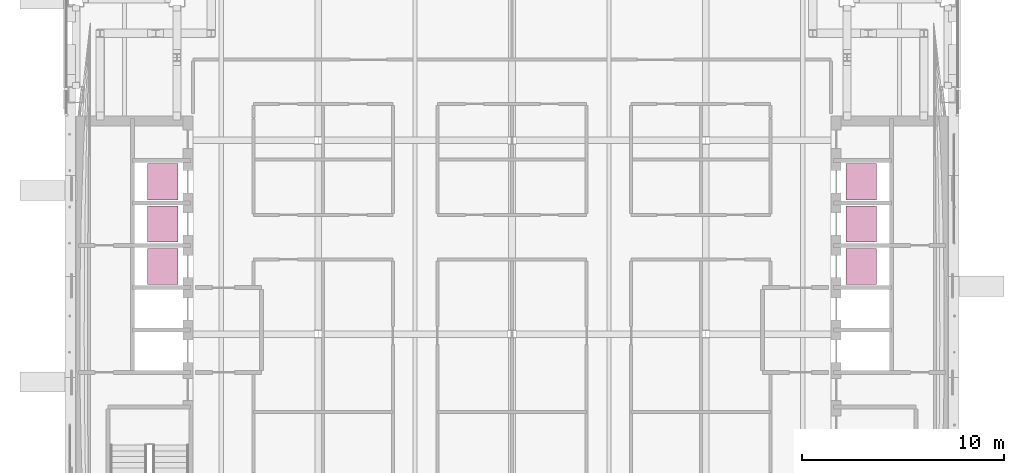
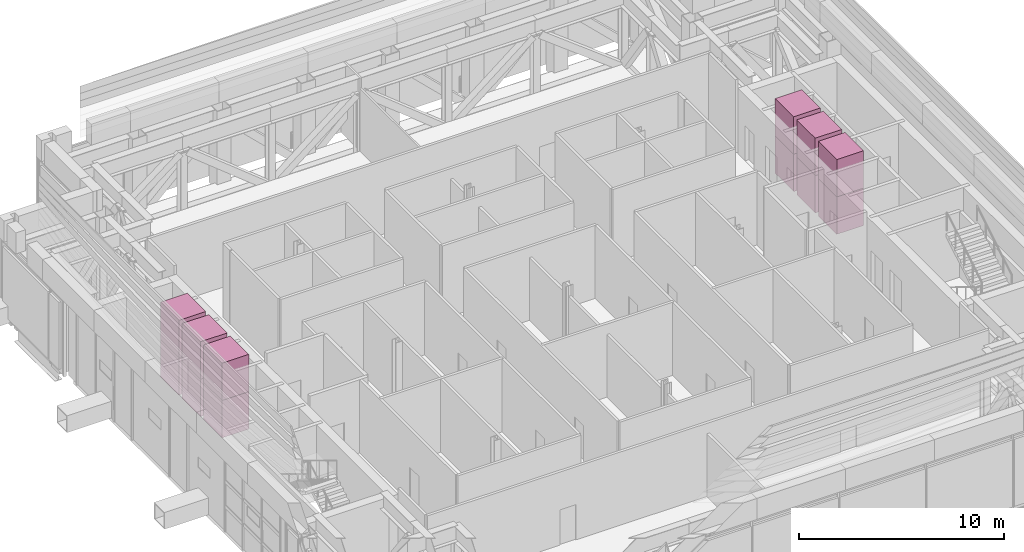
# One storey, part 29 of 29: 12 transport elements.
"""IFC4 building model written with IfcOpenShell, lengths in metres."""

from ifc_helpers import new_model, si_unit, direction, frame, origin, origin_2d, place, context, subcontext, project, spatial, rectangle, extrude, material, type_object, element, save


model = new_model("IFC4")

# Units and contexts
model_context = context("Model", 3, precision=1e-05, world=origin(), true_north=direction((0.0, 1.0)))
body_context = subcontext(model_context, "Body", "Model", "MODEL_VIEW")
ifc_project = project(units=[si_unit("LENGTHUNIT", "METRE"), si_unit("AREAUNIT", "SQUARE_METRE"), si_unit("VOLUMEUNIT", "CUBIC_METRE"), si_unit("PLANEANGLEUNIT", "RADIAN"), si_unit("MASSUNIT", "GRAM", prefix="KILO")], contexts=[model_context])

# Site, building, storey
site_placement = place(None, origin())
site = spatial("IfcSite", under=ifc_project, at=site_placement, CompositionType="ELEMENT")
building_placement = place(site_placement, origin())
building = spatial("IfcBuilding", under=site, at=building_placement, Name="Cobrizo Arcos Hotel Tower", CompositionType="ELEMENT")
storey_placement = place(building_placement, frame((0.0, 0.0, 186.5)))
storey = spatial("IfcBuildingStorey", under=building, at=storey_placement, Name="L48", CompositionType="ELEMENT", Elevation=186.5)

# Transport elements
ifc_material = material(Name="Stainless steel car", Category="steel")
transport_element_type = type_object("IfcTransportElementType", Name="Lift car High 1.8x1.5", PredefinedType="ELEVATOR", material=ifc_material)
for number, where, z_axis, x_axis, name in (
    (1, (-17.300048828125, 3.35009765625, 0.0), (0.0, 0.0, 1.0), (1.0, 0.0, 0.0), "High-rise passenger lift W1"),
    (2, (-17.300048828125, 3.35009765625, 2.224853515625), (0.0, 0.0, 1.0), (1.0, 0.0, 0.0), "High-rise passenger lift W1"),
    (3, (-17.300048828125, 5.449951171875, 0.0), (0.0, 0.0, 1.0), (1.0, 0.0, 0.0), "High-rise passenger lift W2"),
    (4, (-17.300048828125, 5.449951171875, 2.224853515625), (0.0, 0.0, 1.0), (1.0, 0.0, 0.0), "High-rise passenger lift W2"),
    (5, (-17.300048828125, 7.550048828125, 0.0), (0.0, 0.0, 1.0), (1.0, 0.0, 0.0), "High-rise passenger lift W3"),
    (6, (-17.300048828125, 7.550048828125, 2.224853515625), (0.0, 0.0, 1.0), (1.0, 0.0, 0.0), "High-rise passenger lift W3"),
    (7, (17.300048828125, 3.35009765625, 0.0), (0.0, 0.0, 1.0), (1.0, 0.0, 0.0), "High-rise passenger lift E1"),
    (8, (17.300048828125, 3.35009765625, 2.224853515625), (0.0, 0.0, 1.0), (1.0, 0.0, 0.0), "High-rise passenger lift E1"),
    (9, (17.300048828125, 5.449951171875, 0.0), (0.0, 0.0, 1.0), (1.0, 0.0, 0.0), "High-rise passenger lift E2"),
    (10, (17.300048828125, 5.449951171875, 2.224853515625), (0.0, 0.0, 1.0), (1.0, 0.0, 0.0), "High-rise passenger lift E2"),
    (11, (17.300048828125, 7.550048828125, 0.0), (0.0, 0.0, 1.0), (1.0, 0.0, 0.0), "High-rise passenger lift E3"),
    (12, (17.300048828125, 7.550048828125, 2.224853515625), (0.0, 0.0, 1.0), (1.0, 0.0, 0.0), "High-rise passenger lift E3"),
):
    element("IfcTransportElement", number, at=place(storey_placement, frame(where, z_axis=z_axis, x_axis=x_axis)), inside=storey, type_object=transport_element_type, Name=name, PredefinedType="ELEVATOR", context=body_context, shape_type="SweptSolid", body=[
        extrude(rectangle(XDim=1.5, YDim=1.800048828125, at=origin_2d()), origin(), (0.0, 0.0, 1.0), 2.22509765625),
    ])

save(model, "model.ifc")
